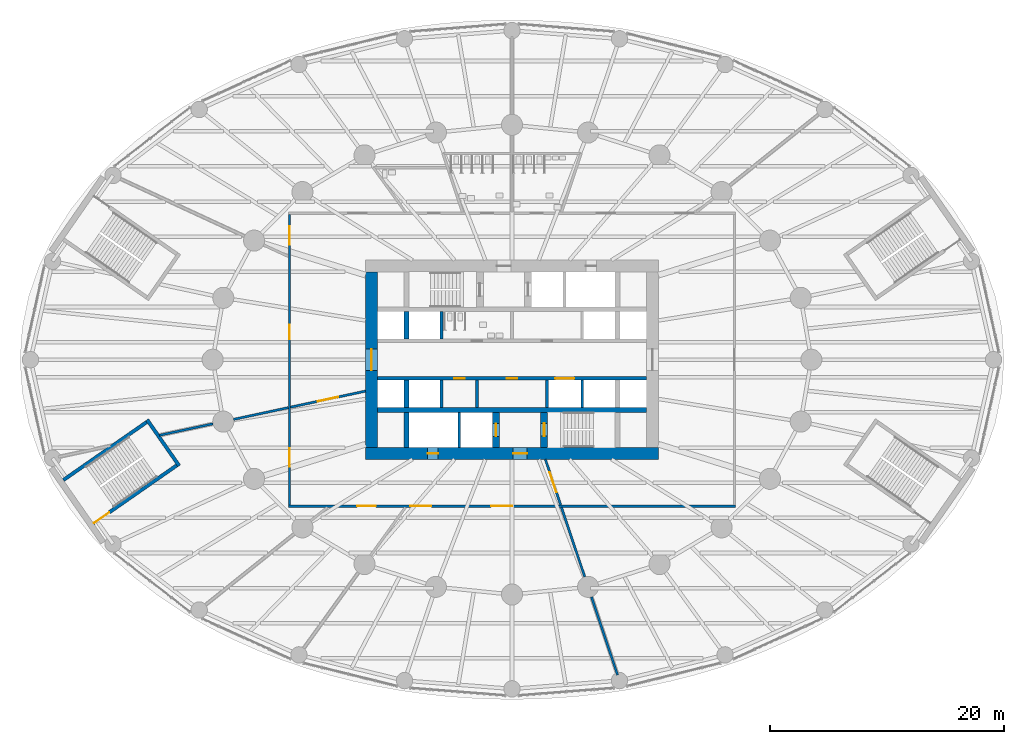
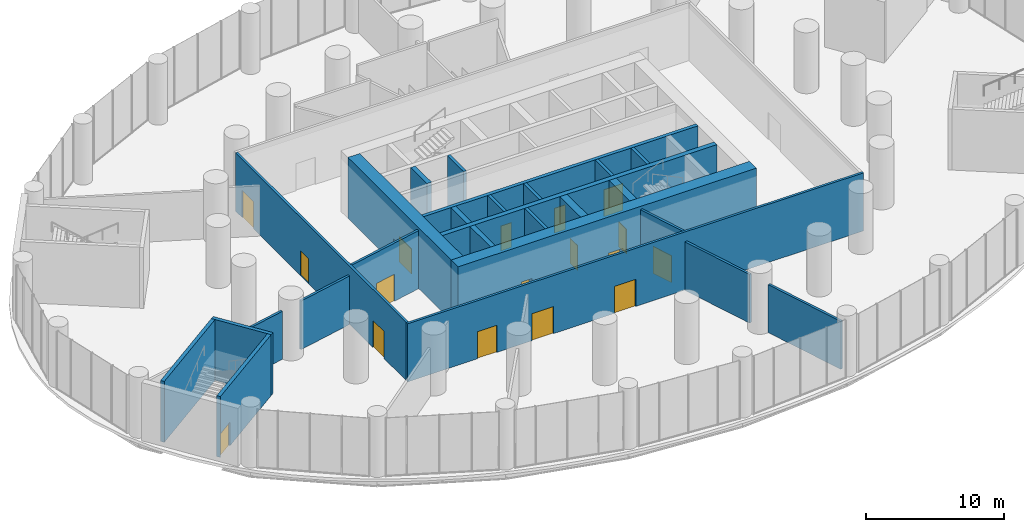
# One storey, part 16 of 21: 26 walls, 17 doors, 17 openings.
"""IFC4 building model written with IfcOpenShell, lengths in metres."""

from ifc_helpers import new_model, si_unit, direction, frame, frame_2d, origin, place, context, subcontext, project, spatial, rectangle, extrude, material, layer, layer_set, type_object, element, fill, save


model = new_model("IFC4")

# Units and contexts
model_context = context("Model", 3, precision=1e-05, world=origin(), true_north=direction((0.0, 1.0)))
body_context = subcontext(model_context, "Body", "Model", "MODEL_VIEW")
ifc_project = project(units=[si_unit("LENGTHUNIT", "METRE"), si_unit("AREAUNIT", "SQUARE_METRE"), si_unit("VOLUMEUNIT", "CUBIC_METRE"), si_unit("PLANEANGLEUNIT", "RADIAN"), si_unit("MASSUNIT", "GRAM", prefix="KILO")], contexts=[model_context])

# Site, building, storey
site_placement = place(None, origin())
site = spatial("IfcSite", under=ifc_project, at=site_placement, CompositionType="ELEMENT")
building_placement = place(site_placement, origin())
building = spatial("IfcBuilding", under=site, at=building_placement, Name="Hankou Lantern Tower", CompositionType="ELEMENT")
storey_placement = place(building_placement, frame((0.0, 0.0, 13.800048828125)))
storey = spatial("IfcBuildingStorey", under=building, at=storey_placement, Name="L02", CompositionType="ELEMENT", Elevation=13.800048828125)

# Wall, openings, doors
ifc_material_1 = material(Name="Concrete C60", Category="concrete")
ifc_layer_1 = layer(ifc_material_1, 1.0)
ifc_layer_set_1 = layer_set([ifc_layer_1], Name="Concrete C60")
wall_type_1 = type_object("IfcWallType", Name="CW1 CORE WALL 1000", PredefinedType="SHEAR", material=ifc_layer_set_1)
wall_1_placement = place(storey_placement, frame((12.5, -8.0, 0.0), z_axis=(0.0, 0.0, 1.0), x_axis=(-1.0, 0.0, 0.0)))
wall_1 = element("IfcWall", 1, at=wall_1_placement, inside=storey, type_object=wall_type_1, Name="Core wall south L02", PredefinedType="SHEAR", context=body_context, shape_type="SweptSolid", body=[
    extrude(rectangle(XDim=25.0, YDim=1.0, at=frame_2d((12.5, 0.0))), origin(), (0.0, 0.0, 1.0), 5.39990234375),
])
opening_1_placement = place(wall_1_placement, frame((11.199951171875, 0.0, 0.0)))
opening_1 = element("IfcOpeningElement", 2, at=opening_1_placement, cuts=wall_1, Name="Opening D5", PredefinedType="OPENING", context=body_context, shape_type="SweptSolid", body=[
    extrude(rectangle(XDim=1.199951171875, YDim=2.199951171875, at=frame_2d((0.60009765625, 1.10009765625))), frame((0.0, 0.510009765625, 0.0), z_axis=(0.0, -1.0, 0.0), x_axis=(1.0, 0.0, 0.0)), (0.0, 0.0, 1.0), 1.02001953125),
])
opening_2_placement = place(wall_1_placement, frame((18.800048828125, 0.0, 0.0)))
opening_2 = element("IfcOpeningElement", 3, at=opening_2_placement, cuts=wall_1, Name="Opening D7", PredefinedType="OPENING", context=body_context, shape_type="SweptSolid", body=[
    extrude(rectangle(XDim=0.89990234375, YDim=2.199951171875, at=frame_2d((0.449951171875, 1.10009765625))), frame((0.0, 0.510009765625, 0.0), z_axis=(0.0, -1.0, 0.0), x_axis=(1.0, 0.0, 0.0)), (0.0, 0.0, 1.0), 1.02001953125),
])
ifc_material_2 = material(Name="Steel door leaf", Category="steel")
door_type_1 = type_object("IfcDoorType", Name="D5 STAIR LOBBY DOOR 1200X2200", OperationType="SINGLE_SWING_LEFT", PredefinedType="DOOR", material=ifc_material_2)
door_1_placement = place(opening_1_placement, origin())
door_1 = element("IfcDoor", 4, at=door_1_placement, inside=storey, type_object=door_type_1, Name="Stair B lobby door", OperationType="SINGLE_SWING_LEFT", OverallHeight=2.199951171875, OverallWidth=1.199951171875, PredefinedType="DOOR", context=body_context, shape_type="SweptSolid", body=[
    extrude(rectangle(XDim=1.199951171875, YDim=2.199951171875, at=frame_2d((0.60009765625, 1.10009765625))), frame((0.0, 0.02490234375, 0.0), z_axis=(0.0, -1.0, 0.0), x_axis=(1.0, 0.0, 0.0)), (0.0, 0.0, 1.0), 0.050048828125),
])
fill(opening_1, door_1)
ifc_material_3 = material(Name="Steel door leaf", Category="steel")
door_type_2 = type_object("IfcDoorType", Name="D7 RISER DOOR 900X2200", OperationType="SINGLE_SWING_LEFT", PredefinedType="DOOR", material=ifc_material_3)
door_2_placement = place(opening_2_placement, origin())
door_2 = element("IfcDoor", 5, at=door_2_placement, inside=storey, type_object=door_type_2, Name="Riser S1 door", OperationType="SINGLE_SWING_LEFT", OverallHeight=2.199951171875, OverallWidth=0.89990234375, PredefinedType="DOOR", context=body_context, shape_type="SweptSolid", body=[
    extrude(rectangle(XDim=0.89990234375, YDim=2.199951171875, at=frame_2d((0.449951171875, 1.10009765625))), frame((0.0, 0.02490234375, 0.0), z_axis=(0.0, -1.0, 0.0), x_axis=(1.0, 0.0, 0.0)), (0.0, 0.0, 1.0), 0.050048828125),
])
fill(opening_2, door_2)

# Wall, opening, door
wall_2_placement = place(storey_placement, frame((-12.0, 7.5, 0.0), z_axis=(0.0, 0.0, 1.0), x_axis=(0.0, -1.0, 0.0)))
wall_2 = element("IfcWall", 6, at=wall_2_placement, inside=storey, type_object=wall_type_1, Name="Core wall west L02", PredefinedType="SHEAR", context=body_context, shape_type="SweptSolid", body=[
    extrude(rectangle(XDim=15.0, YDim=1.0, at=frame_2d((7.5, 0.0))), origin(), (0.0, 0.0, 1.0), 5.39990234375),
])
opening_3_placement = place(wall_2_placement, frame((6.60009765625, 0.0, 0.0)))
opening_3 = element("IfcOpeningElement", 7, at=opening_3_placement, cuts=wall_2, Name="Opening D6", PredefinedType="OPENING", context=body_context, shape_type="SweptSolid", body=[
    extrude(rectangle(XDim=1.800048828125, YDim=2.199951171875, at=frame_2d((0.89990234375, 1.10009765625))), frame((0.0, 0.510009765625, 0.0), z_axis=(0.0, -1.0, 0.0), x_axis=(1.0, 0.0, 0.0)), (0.0, 0.0, 1.0), 1.02001953125),
])
ifc_material_4 = material(Name="Steel door leaf", Category="steel")
door_type_3 = type_object("IfcDoorType", Name="D6 LIFT LOBBY DOOR 1800X2200", OperationType="DOUBLE_DOOR_DOUBLE_SWING", PredefinedType="DOOR", material=ifc_material_4)
door_3_placement = place(opening_3_placement, origin())
door_3 = element("IfcDoor", 8, at=door_3_placement, inside=storey, type_object=door_type_3, Name="Lift lobby west door", OperationType="DOUBLE_DOOR_DOUBLE_SWING", OverallHeight=2.199951171875, OverallWidth=1.800048828125, PredefinedType="DOOR", context=body_context, shape_type="SweptSolid", body=[
    extrude(rectangle(XDim=1.800048828125, YDim=2.199951171875, at=frame_2d((0.89990234375, 1.10009765625))), frame((0.0, 0.02490234375, 0.0), z_axis=(0.0, -1.0, 0.0), x_axis=(1.0, 0.0, 0.0)), (0.0, 0.0, 1.0), 0.050048828125),
])
fill(opening_3, door_3)

# Walls
ifc_material_5 = material(Name="Concrete C60", Category="concrete")
ifc_layer_2 = layer(ifc_material_5, 0.39990234375)
ifc_layer_set_2 = layer_set([ifc_layer_2], Name="Concrete C60")
wall_type_2 = type_object("IfcWallType", Name="CW4 CORE CROSS WALL 400", PredefinedType="SHEAR", material=ifc_layer_set_2)
wall_3_placement = place(storey_placement, frame((-11.5, -4.300048828125, 0.0), z_axis=(0.0, 0.0, 1.0), x_axis=(1.0, 0.0, 0.0)))
element("IfcWall", 9, at=wall_3_placement, inside=storey, type_object=wall_type_2, Name="Core band wall south L02", PredefinedType="SHEAR", context=body_context, shape_type="SweptSolid", body=[
    extrude(rectangle(XDim=23.0, YDim=0.39990234375, at=frame_2d((11.5, 0.0))), origin(), (0.0, 0.0, 1.0), 5.39990234375),
])
for number, where, z_axis, x_axis, name in (
    (10, (-9.0, 1.75, 0.0), (0.0, 0.0, 1.0), (0.0, 1.0, 0.0), "Core strip wall L02"),
    (11, (-9.0, -4.10009765625, 0.0), (0.0, 0.0, 1.0), (0.0, 1.0, 0.0), "Core strip wall L02"),
):
    element("IfcWall", number, at=place(storey_placement, frame(where, z_axis=z_axis, x_axis=x_axis)), inside=storey, type_object=wall_type_2, Name=name, PredefinedType="SHEAR", context=body_context, shape_type="SweptSolid", body=[
        extrude(rectangle(XDim=2.35009765625, YDim=0.39990234375, at=frame_2d((1.175048828125, 0.0))), origin(), (0.0, 0.0, 1.0), 5.39990234375),
    ])
wall_4_placement = place(storey_placement, frame((-9.0, -7.5, 0.0), z_axis=(0.0, 0.0, 1.0), x_axis=(0.0, 1.0, 0.0)))
element("IfcWall", 12, at=wall_4_placement, inside=storey, type_object=wall_type_2, Name="Core strip wall L02", PredefinedType="SHEAR", context=body_context, shape_type="SweptSolid", body=[
    extrude(rectangle(XDim=3.0, YDim=0.39990234375, at=frame_2d((1.5, 0.0))), origin(), (0.0, 0.0, 1.0), 5.39990234375),
])

# Wall, openings, doors
ifc_material_6 = material(Name="Concrete C60", Category="concrete")
ifc_layer_3 = layer(ifc_material_6, 0.300048828125)
ifc_layer_set_3 = layer_set([ifc_layer_3], Name="Concrete C60")
wall_type_3 = type_object("IfcWallType", Name="CW5 LIFT LOBBY WALL 300", PredefinedType="SHEAR", material=ifc_layer_set_3)
wall_5_placement = place(storey_placement, frame((-11.5, -1.60009765625, 0.0), z_axis=(0.0, 0.0, 1.0), x_axis=(1.0, 0.0, 0.0)))
wall_5 = element("IfcWall", 13, at=wall_5_placement, inside=storey, type_object=wall_type_3, Name="Lift lobby wall south L02", PredefinedType="SHEAR", context=body_context, shape_type="SweptSolid", body=[
    extrude(rectangle(XDim=23.0, YDim=0.300048828125, at=frame_2d((11.5, 0.0))), origin(), (0.0, 0.0, 1.0), 5.39990234375),
])
opening_4_placement = place(wall_5_placement, frame((15.199951171875, 0.0, 0.0)))
opening_4 = element("IfcOpeningElement", 14, at=opening_4_placement, cuts=wall_5, Name="Opening LD4", PredefinedType="OPENING", context=body_context, shape_type="SweptSolid", body=[
    extrude(rectangle(XDim=1.60009765625, YDim=2.39990234375, at=frame_2d((0.800048828125, 1.199951171875))), frame((0.0, 0.159912109375, 0.0), z_axis=(0.0, -1.0, 0.0), x_axis=(1.0, 0.0, 0.0)), (0.0, 0.0, 1.0), 0.320068359375),
])
opening_5_placement = place(wall_5_placement, frame((6.550048828125, 0.0, 0.0)))
opening_5 = element("IfcOpeningElement", 15, at=opening_5_placement, cuts=wall_5, Name="Opening D30", PredefinedType="OPENING", context=body_context, shape_type="SweptSolid", body=[
    extrude(rectangle(XDim=0.89990234375, YDim=2.199951171875, at=frame_2d((0.449951171875, 1.10009765625))), frame((0.0, 0.159912109375, 0.0), z_axis=(0.0, -1.0, 0.0), x_axis=(1.0, 0.0, 0.0)), (0.0, 0.0, 1.0), 0.320068359375),
])
opening_6_placement = place(wall_5_placement, frame((11.050048828125, 0.0, 0.0)))
opening_6 = element("IfcOpeningElement", 16, at=opening_6_placement, cuts=wall_5, Name="Opening D30", PredefinedType="OPENING", context=body_context, shape_type="SweptSolid", body=[
    extrude(rectangle(XDim=0.89990234375, YDim=2.199951171875, at=frame_2d((0.449951171875, 1.10009765625))), frame((0.0, 0.159912109375, 0.0), z_axis=(0.0, -1.0, 0.0), x_axis=(1.0, 0.0, 0.0)), (0.0, 0.0, 1.0), 0.320068359375),
])
ifc_material_7 = material(Name="Steel door leaf", Category="steel")
door_type_4 = type_object("IfcDoorType", Name="D30 CORE ROOM DOOR 900X2200", OperationType="SINGLE_SWING_LEFT", PredefinedType="DOOR", material=ifc_material_7)
door_4_placement = place(opening_5_placement, origin())
door_4 = element("IfcDoor", 17, at=door_4_placement, inside=storey, type_object=door_type_4, Name="Banqueting store door", OperationType="SINGLE_SWING_LEFT", OverallHeight=2.199951171875, OverallWidth=0.89990234375, PredefinedType="DOOR", context=body_context, shape_type="SweptSolid", body=[
    extrude(rectangle(XDim=0.89990234375, YDim=2.199951171875, at=frame_2d((0.449951171875, 1.10009765625))), frame((0.0, 0.02490234375, 0.0), z_axis=(0.0, -1.0, 0.0), x_axis=(1.0, 0.0, 0.0)), (0.0, 0.0, 1.0), 0.050048828125),
])
fill(opening_5, door_4)
door_5_placement = place(opening_6_placement, origin())
door_5 = element("IfcDoor", 18, at=door_5_placement, inside=storey, type_object=door_type_4, Name="AV and furniture store door", OperationType="SINGLE_SWING_LEFT", OverallHeight=2.199951171875, OverallWidth=0.89990234375, PredefinedType="DOOR", context=body_context, shape_type="SweptSolid", body=[
    extrude(rectangle(XDim=0.89990234375, YDim=2.199951171875, at=frame_2d((0.449951171875, 1.10009765625))), frame((0.0, 0.02490234375, 0.0), z_axis=(0.0, -1.0, 0.0), x_axis=(1.0, 0.0, 0.0)), (0.0, 0.0, 1.0), 0.050048828125),
])
fill(opening_6, door_5)
ifc_material_8 = material(Name="Steel door leaf", Category="steel")
door_type_5 = type_object("IfcDoorType", Name="LD4 SERVICE LIFT LANDING DOOR 1600X2400", OperationType="DOUBLE_DOOR_SLIDING", PredefinedType="DOOR", material=ifc_material_8)
door_6_placement = place(opening_4_placement, origin())
door_6 = element("IfcDoor", 19, at=door_6_placement, inside=storey, type_object=door_type_5, Name="Lift SV1 landing door", OperationType="DOUBLE_DOOR_SLIDING", OverallHeight=2.39990234375, OverallWidth=1.60009765625, PredefinedType="DOOR", context=body_context, shape_type="SweptSolid", body=[
    extrude(rectangle(XDim=1.60009765625, YDim=2.39990234375, at=frame_2d((0.800048828125, 1.199951171875))), frame((0.0, 0.02490234375, 0.0), z_axis=(0.0, -1.0, 0.0), x_axis=(1.0, 0.0, 0.0)), (0.0, 0.0, 1.0), 0.050048828125),
])
fill(opening_4, door_6)

# Wall, opening, door
ifc_material_9 = material(Name="Concrete C60", Category="concrete")
ifc_layer_4 = layer(ifc_material_9, 0.60009765625)
ifc_layer_set_4 = layer_set([ifc_layer_4], Name="Concrete C60")
wall_type_4 = type_object("IfcWallType", Name="CW6 STAIR AND SHAFT WALL 600", PredefinedType="SHEAR", material=ifc_layer_set_4)
wall_6_placement = place(storey_placement, frame((2.75, -7.5, 0.0), z_axis=(0.0, 0.0, 1.0), x_axis=(0.0, 1.0, 0.0)))
wall_6 = element("IfcWall", 20, at=wall_6_placement, inside=storey, type_object=wall_type_4, Name="Stair wall L02", PredefinedType="SHEAR", context=body_context, shape_type="SweptSolid", body=[
    extrude(rectangle(XDim=3.0, YDim=0.60009765625, at=frame_2d((1.5, 0.0))), origin(), (0.0, 0.0, 1.0), 5.39990234375),
])
opening_7_placement = place(wall_6_placement, frame((0.97509765625, 0.0, 0.0)))
opening_7 = element("IfcOpeningElement", 21, at=opening_7_placement, cuts=wall_6, Name="Opening D4", PredefinedType="OPENING", context=body_context, shape_type="SweptSolid", body=[
    extrude(rectangle(XDim=1.10009765625, YDim=2.199951171875, at=frame_2d((0.550048828125, 1.10009765625))), frame((0.0, 0.31005859375, 0.0), z_axis=(0.0, -1.0, 0.0), x_axis=(1.0, 0.0, 0.0)), (0.0, 0.0, 1.0), 0.6201171875),
])
ifc_material_10 = material(Name="Steel door leaf", Category="steel")
door_type_6 = type_object("IfcDoorType", Name="D4 STAIR DOOR 1100X2200", OperationType="SINGLE_SWING_LEFT", PredefinedType="DOOR", material=ifc_material_10)
door_7_placement = place(opening_7_placement, origin())
door_7 = element("IfcDoor", 22, at=door_7_placement, inside=storey, type_object=door_type_6, Name="Stair B door", OperationType="SINGLE_SWING_RIGHT", OverallHeight=2.199951171875, OverallWidth=1.10009765625, PredefinedType="DOOR", context=body_context, shape_type="SweptSolid", body=[
    extrude(rectangle(XDim=1.10009765625, YDim=2.199951171875, at=frame_2d((0.550048828125, 1.10009765625))), frame((0.0, 0.02490234375, 0.0), z_axis=(0.0, -1.0, 0.0), x_axis=(1.0, 0.0, 0.0)), (0.0, 0.0, 1.0), 0.050048828125),
])
fill(opening_7, door_7)

wall_7_placement = place(storey_placement, frame((-1.35009765625, -7.5, 0.0), z_axis=(0.0, 0.0, 1.0), x_axis=(0.0, 1.0, 0.0)))
wall_7 = element("IfcWall", 23, at=wall_7_placement, inside=storey, type_object=wall_type_4, Name="Firefighting lift shaft wall L02", PredefinedType="SHEAR", context=body_context, shape_type="SweptSolid", body=[
    extrude(rectangle(XDim=3.0, YDim=0.60009765625, at=frame_2d((1.5, 0.0))), origin(), (0.0, 0.0, 1.0), 5.39990234375),
])
opening_8_placement = place(wall_7_placement, frame((0.949951171875, 0.0, 0.0)))
opening_8 = element("IfcOpeningElement", 24, at=opening_8_placement, cuts=wall_7, Name="Opening LD2", PredefinedType="OPENING", context=body_context, shape_type="SweptSolid", body=[
    extrude(rectangle(XDim=1.10009765625, YDim=2.199951171875, at=frame_2d((0.550048828125, 1.10009765625))), frame((0.0, 0.31005859375, 0.0), z_axis=(0.0, -1.0, 0.0), x_axis=(1.0, 0.0, 0.0)), (0.0, 0.0, 1.0), 0.6201171875),
])
ifc_material_11 = material(Name="Steel door leaf", Category="steel")
door_type_7 = type_object("IfcDoorType", Name="LD2 FIREFIGHTING LIFT LANDING DOOR 1100X2200", OperationType="DOUBLE_DOOR_SLIDING", PredefinedType="DOOR", material=ifc_material_11)
door_8_placement = place(opening_8_placement, origin())
door_8 = element("IfcDoor", 25, at=door_8_placement, inside=storey, type_object=door_type_7, Name="Firefighting lift FL2 landing door", OperationType="DOUBLE_DOOR_SLIDING", OverallHeight=2.199951171875, OverallWidth=1.10009765625, PredefinedType="DOOR", context=body_context, shape_type="SweptSolid", body=[
    extrude(rectangle(XDim=1.10009765625, YDim=2.199951171875, at=frame_2d((0.550048828125, 1.10009765625))), frame((0.0, 0.02490234375, 0.0), z_axis=(0.0, -1.0, 0.0), x_axis=(1.0, 0.0, 0.0)), (0.0, 0.0, 1.0), 0.050048828125),
])
fill(opening_8, door_8)

# Wall
ifc_material_12 = material(Name="Concrete C50", Category="concrete")
ifc_layer_5 = layer(ifc_material_12, 0.300048828125)
ifc_layer_set_5 = layer_set([ifc_layer_5], Name="Concrete C50")
wall_type_5 = type_object("IfcWallType", Name="CW7 PODIUM STAIR WALL 300", PredefinedType="SHEAR", material=ifc_layer_set_5)
wall_8_placement = place(storey_placement, frame((-38.29931640625, -10.273681640625, 0.0), z_axis=(0.0, 0.0, 1.0), x_axis=(0.820936803751, 0.571019057692, 0.0)))
element("IfcWall", 26, at=wall_8_placement, inside=storey, type_object=wall_type_5, Name="Podium stair P3 wall", PredefinedType="SHEAR", context=body_context, shape_type="SweptSolid", body=[
    extrude(rectangle(XDim=8.66015625, YDim=0.300048828125, at=frame_2d((4.330078125, 0.0))), origin(), (0.0, 0.0, 1.0), 5.39990234375),
])

# Wall, opening, door
wall_9_placement = place(storey_placement, frame((-35.7294921875, -13.968017578125, 0.0), z_axis=(0.0, 0.0, 1.0), x_axis=(0.82092761123, 0.571032273274, 0.0)))
wall_9 = element("IfcWall", 27, at=wall_9_placement, inside=storey, type_object=wall_type_5, Name="Podium stair P3 wall", PredefinedType="SHEAR", context=body_context, shape_type="SweptSolid", body=[
    extrude(rectangle(XDim=8.659912109375, YDim=0.300048828125, at=frame_2d((4.330078125, 0.0))), origin(), (0.0, 0.0, 1.0), 5.39990234375),
])
opening_9_placement = place(wall_9_placement, frame((0.050048828125, 0.0, 0.0)))
opening_9 = element("IfcOpeningElement", 28, at=opening_9_placement, cuts=wall_9, Name="Opening D16", PredefinedType="OPENING", context=body_context, shape_type="SweptSolid", body=[
    extrude(rectangle(XDim=1.60009765625, YDim=2.10009765625, at=frame_2d((0.800048828125, 1.050048828125))), frame((0.0, 0.159912109375, 0.0), z_axis=(0.0, -1.0, 0.0), x_axis=(1.0, 0.0, 0.0)), (0.0, 0.0, 1.0), 0.320068359375),
])
ifc_material_13 = material(Name="Steel door leaf", Category="steel")
door_type_8 = type_object("IfcDoorType", Name="D16 PODIUM STAIR DOOR 1600X2100", OperationType="SINGLE_SWING_LEFT", PredefinedType="DOOR", material=ifc_material_13)
door_9_placement = place(opening_9_placement, origin())
door_9 = element("IfcDoor", 29, at=door_9_placement, inside=storey, type_object=door_type_8, Name="Podium stair P3 door", OperationType="SINGLE_SWING_LEFT", OverallHeight=2.10009765625, OverallWidth=1.60009765625, PredefinedType="DOOR", context=body_context, shape_type="SweptSolid", body=[
    extrude(rectangle(XDim=1.60009765625, YDim=2.10009765625, at=frame_2d((0.800048828125, 1.050048828125))), frame((0.0, 0.02490234375, 0.0), z_axis=(0.0, -1.0, 0.0), x_axis=(1.0, 0.0, 0.0)), (0.0, 0.0, 1.0), 0.050048828125),
])
fill(opening_9, door_9)

# Walls
wall_10_placement = place(storey_placement, frame((-31.152587890625, -5.119873046875, 0.0), z_axis=(0.0, 0.0, 1.0), x_axis=(0.571036173178, -0.820924898467, 0.0)))
element("IfcWall", 30, at=wall_10_placement, inside=storey, type_object=wall_type_5, Name="Podium stair P3 wall", PredefinedType="SHEAR", context=body_context, shape_type="SweptSolid", body=[
    extrude(rectangle(XDim=4.800048828125, YDim=0.300048828125, at=frame_2d((2.39990234375, 0.0))), origin(), (0.0, 0.0, 1.0), 5.39990234375),
])
ifc_material_14 = material(Name="Masonry dense concrete block", Category="masonry")
ifc_layer_6 = layer(ifc_material_14, 0.199951171875)
ifc_layer_set_6 = layer_set([ifc_layer_6], Name="Masonry dense concrete block")
wall_type_6 = type_object("IfcWallType", Name="FW1 COMPARTMENT FIRE WALL 200", PredefinedType="PARTITIONING", material=ifc_layer_set_6)
wall_11_placement = place(storey_placement, frame((-19.10009765625, -4.09423828125, 0.0), z_axis=(0.0, 0.0, 1.0), x_axis=(-0.977784445586, -0.209612924148, 0.0)))
element("IfcWall", 31, at=wall_11_placement, inside=storey, type_object=wall_type_6, Name="Fire wall R14", PredefinedType="PARTITIONING", context=body_context, shape_type="SweptSolid", body=[
    extrude(rectangle(XDim=4.77294921875, YDim=0.199951171875, at=frame_2d((2.386474609375, 0.0))), origin(), (0.0, 0.0, 1.0), 4.300048828125),
])
wall_12_placement = place(storey_placement, frame((-25.527099609375, -5.471923828125, 0.0), z_axis=(0.0, 0.0, 1.0), x_axis=(-0.977787143577, -0.209600338396, 0.0)))
element("IfcWall", 32, at=wall_12_placement, inside=storey, type_object=wall_type_6, Name="Fire wall R14", PredefinedType="PARTITIONING", context=body_context, shape_type="SweptSolid", body=[
    extrude(rectangle(XDim=4.68017578125, YDim=0.199951171875, at=frame_2d((2.340087890625, 0.0))), origin(), (0.0, 0.0, 1.0), 4.25),
])
wall_13_placement = place(storey_placement, frame((4.22021484375, -12.60009765625, 0.0), z_axis=(0.0, 0.0, 1.0), x_axis=(0.317584173452, -0.9482300843, 0.0)))
element("IfcWall", 33, at=wall_13_placement, inside=storey, type_object=wall_type_6, Name="Fire wall R20", PredefinedType="PARTITIONING", context=body_context, shape_type="SweptSolid", body=[
    extrude(rectangle(XDim=6.26220703125, YDim=0.199951171875, at=frame_2d((3.131103515625, 0.0))), origin(), (0.0, 0.0, 1.0), 4.300048828125),
])
wall_14_placement = place(storey_placement, frame((6.78076171875, -20.244873046875, 0.0), z_axis=(0.0, 0.0, 1.0), x_axis=(0.317580622989, -0.948231273425, 0.0)))
element("IfcWall", 34, at=wall_14_placement, inside=storey, type_object=wall_type_6, Name="Fire wall R20", PredefinedType="PARTITIONING", context=body_context, shape_type="SweptSolid", body=[
    extrude(rectangle(XDim=7.036376953125, YDim=0.199951171875, at=frame_2d((3.51806640625, 0.0))), origin(), (0.0, 0.0, 1.0), 4.25),
])

# Wall, opening, door
wall_15_placement = place(storey_placement, frame((-18.89990234375, -4.051513671875, 0.0), z_axis=(0.0, 0.0, 1.0), x_axis=(0.977781666858, 0.2096258857, 0.0)))
wall_15 = element("IfcWall", 35, at=wall_15_placement, inside=storey, type_object=wall_type_6, Name="Fire wall R14 across the foyer", PredefinedType="PARTITIONING", context=body_context, shape_type="SweptSolid", body=[
    extrude(rectangle(XDim=6.54541015625, YDim=0.199951171875, at=frame_2d((3.272705078125, 0.0))), origin(), (0.0, 0.0, 1.0), 5.14990234375),
])
opening_10_placement = place(wall_15_placement, frame((2.373046875, 0.0, 0.0)))
opening_10 = element("IfcOpeningElement", 36, at=opening_10_placement, cuts=wall_15, Name="Opening D36", PredefinedType="OPENING", context=body_context, shape_type="SweptSolid", body=[
    extrude(rectangle(XDim=1.800048828125, YDim=2.39990234375, at=frame_2d((0.89990234375, 1.199951171875))), frame((0.0, 0.10986328125, 0.0), z_axis=(0.0, -1.0, 0.0), x_axis=(1.0, 0.0, 0.0)), (0.0, 0.0, 1.0), 0.219970703125),
])
ifc_material_15 = material(Name="Steel door leaf", Category="steel")
door_type_9 = type_object("IfcDoorType", Name="D36 CLASS A DOUBLE DOOR 1800X2400", OperationType="DOUBLE_DOOR_DOUBLE_SWING", PredefinedType="DOOR", material=ifc_material_15)
door_10_placement = place(opening_10_placement, origin())
door_10 = element("IfcDoor", 37, at=door_10_placement, inside=storey, type_object=door_type_9, Name="Fire wall R14 door", OperationType="DOUBLE_DOOR_DOUBLE_SWING", OverallHeight=2.39990234375, OverallWidth=1.800048828125, PredefinedType="DOOR", context=body_context, shape_type="SweptSolid", body=[
    extrude(rectangle(XDim=1.800048828125, YDim=2.39990234375, at=frame_2d((0.89990234375, 1.199951171875))), frame((0.0, 0.02490234375, 0.0), z_axis=(0.0, -1.0, 0.0), x_axis=(1.0, 0.0, 0.0)), (0.0, 0.0, 1.0), 0.050048828125),
])
fill(opening_10, door_10)

wall_16_placement = place(storey_placement, frame((4.1533203125, -12.39990234375, 0.0), z_axis=(0.0, 0.0, 1.0), x_axis=(-0.317634245377, 0.948213312585, 0.0)))
wall_16 = element("IfcWall", 38, at=wall_16_placement, inside=storey, type_object=wall_type_6, Name="Fire wall R20 across the foyer", PredefinedType="PARTITIONING", context=body_context, shape_type="SweptSolid", body=[
    extrude(rectangle(XDim=4.11279296875, YDim=0.199951171875, at=frame_2d((2.056396484375, 0.0))), origin(), (0.0, 0.0, 1.0), 5.14990234375),
])
opening_11_placement = place(wall_16_placement, frame((1.156005859375, 0.0, 0.0)))
opening_11 = element("IfcOpeningElement", 39, at=opening_11_placement, cuts=wall_16, Name="Opening D36", PredefinedType="OPENING", context=body_context, shape_type="SweptSolid", body=[
    extrude(rectangle(XDim=1.800048828125, YDim=2.39990234375, at=frame_2d((0.89990234375, 1.199951171875))), frame((0.0, 0.10986328125, 0.0), z_axis=(0.0, -1.0, 0.0), x_axis=(1.0, 0.0, 0.0)), (0.0, 0.0, 1.0), 0.219970703125),
])
door_11_placement = place(opening_11_placement, origin())
door_11 = element("IfcDoor", 40, at=door_11_placement, inside=storey, type_object=door_type_9, Name="Fire wall R20 door", OperationType="DOUBLE_DOOR_DOUBLE_SWING", OverallHeight=2.39990234375, OverallWidth=1.800048828125, PredefinedType="DOOR", context=body_context, shape_type="SweptSolid", body=[
    extrude(rectangle(XDim=1.800048828125, YDim=2.39990234375, at=frame_2d((0.89990234375, 1.199951171875))), frame((0.0, 0.02490234375, 0.0), z_axis=(0.0, -1.0, 0.0), x_axis=(1.0, 0.0, 0.0)), (0.0, 0.0, 1.0), 0.050048828125),
])
fill(opening_11, door_11)

# Wall, openings, doors
ifc_material_16 = material(Name="Masonry lightweight concrete block", Category="masonry")
ifc_layer_7 = layer(ifc_material_16, 0.199951171875)
ifc_layer_set_7 = layer_set([ifc_layer_7], Name="Masonry lightweight concrete block")
wall_type_7 = type_object("IfcWallType", Name="IW2 CORRIDOR WALL 200", PredefinedType="PARTITIONING", material=ifc_layer_set_7)
wall_17_placement = place(storey_placement, frame((19.10009765625, -12.5, 0.0), z_axis=(0.0, 0.0, 1.0), x_axis=(-1.0, 0.0, 0.0)))
wall_17 = element("IfcWall", 41, at=wall_17_placement, inside=storey, type_object=wall_type_7, Name="Foyer wall south", PredefinedType="PARTITIONING", context=body_context, shape_type="SweptSolid", body=[
    extrude(rectangle(XDim=38.2001953125, YDim=0.199951171875, at=frame_2d((19.10009765625, 0.0))), origin(), (0.0, 0.0, 1.0), 5.14990234375),
])
opening_12_placement = place(wall_17_placement, frame((30.7216796875, 0.0, 0.0)))
opening_12 = element("IfcOpeningElement", 42, at=opening_12_placement, cuts=wall_17, Name="Opening D29", PredefinedType="OPENING", context=body_context, shape_type="SweptSolid", body=[
    extrude(rectangle(XDim=1.60009765625, YDim=2.39990234375, at=frame_2d((0.800048828125, 1.199951171875))), frame((0.0, 0.10986328125, 0.0), z_axis=(0.0, -1.0, 0.0), x_axis=(1.0, 0.0, 0.0)), (0.0, 0.0, 1.0), 0.219970703125),
])
opening_13_placement = place(wall_17_placement, frame((19.079345703125, 0.0, 0.0)))
opening_13 = element("IfcOpeningElement", 43, at=opening_13_placement, cuts=wall_17, Name="Opening D8", PredefinedType="OPENING", context=body_context, shape_type="SweptSolid", body=[
    extrude(rectangle(XDim=1.800048828125, YDim=2.39990234375, at=frame_2d((0.89990234375, 1.199951171875))), frame((0.0, 0.10986328125, 0.0), z_axis=(0.0, -1.0, 0.0), x_axis=(1.0, 0.0, 0.0)), (0.0, 0.0, 1.0), 0.219970703125),
])
opening_14_placement = place(wall_17_placement, frame((25.979248046875, 0.0, 0.0)))
opening_14 = element("IfcOpeningElement", 44, at=opening_14_placement, cuts=wall_17, Name="Opening D8", PredefinedType="OPENING", context=body_context, shape_type="SweptSolid", body=[
    extrude(rectangle(XDim=1.800048828125, YDim=2.39990234375, at=frame_2d((0.89990234375, 1.199951171875))), frame((0.0, 0.10986328125, 0.0), z_axis=(0.0, -1.0, 0.0), x_axis=(1.0, 0.0, 0.0)), (0.0, 0.0, 1.0), 0.219970703125),
])
ifc_material_17 = material(Name="Steel door leaf", Category="steel")
door_type_10 = type_object("IfcDoorType", Name="D29 LOUNGE DOUBLE DOOR 1600X2400", OperationType="DOUBLE_DOOR_DOUBLE_SWING", PredefinedType="DOOR", material=ifc_material_17)
door_12_placement = place(opening_12_placement, origin())
door_12 = element("IfcDoor", 45, at=door_12_placement, inside=storey, type_object=door_type_10, Name="Meeting room 205 door", OperationType="DOUBLE_DOOR_DOUBLE_SWING", OverallHeight=2.39990234375, OverallWidth=1.60009765625, PredefinedType="DOOR", context=body_context, shape_type="SweptSolid", body=[
    extrude(rectangle(XDim=1.60009765625, YDim=2.39990234375, at=frame_2d((0.800048828125, 1.199951171875))), frame((0.0, 0.02490234375, 0.0), z_axis=(0.0, -1.0, 0.0), x_axis=(1.0, 0.0, 0.0)), (0.0, 0.0, 1.0), 0.050048828125),
])
fill(opening_12, door_12)
ifc_material_18 = material(Name="Steel door leaf", Category="steel")
door_type_11 = type_object("IfcDoorType", Name="D8 DOUBLE DOOR 1800X2400", OperationType="DOUBLE_DOOR_DOUBLE_SWING", PredefinedType="DOOR", material=ifc_material_18)
door_13_placement = place(opening_13_placement, origin())
door_13 = element("IfcDoor", 46, at=door_13_placement, inside=storey, type_object=door_type_11, Name="Main kitchen door", OperationType="DOUBLE_DOOR_DOUBLE_SWING", OverallHeight=2.39990234375, OverallWidth=1.800048828125, PredefinedType="DOOR", context=body_context, shape_type="SweptSolid", body=[
    extrude(rectangle(XDim=1.800048828125, YDim=2.39990234375, at=frame_2d((0.89990234375, 1.199951171875))), frame((0.0, 0.02490234375, 0.0), z_axis=(0.0, -1.0, 0.0), x_axis=(1.0, 0.0, 0.0)), (0.0, 0.0, 1.0), 0.050048828125),
])
fill(opening_13, door_13)
door_14_placement = place(opening_14_placement, origin())
door_14 = element("IfcDoor", 47, at=door_14_placement, inside=storey, type_object=door_type_11, Name="Main kitchen second door", OperationType="DOUBLE_DOOR_DOUBLE_SWING", OverallHeight=2.39990234375, OverallWidth=1.800048828125, PredefinedType="DOOR", context=body_context, shape_type="SweptSolid", body=[
    extrude(rectangle(XDim=1.800048828125, YDim=2.39990234375, at=frame_2d((0.89990234375, 1.199951171875))), frame((0.0, 0.02490234375, 0.0), z_axis=(0.0, -1.0, 0.0), x_axis=(1.0, 0.0, 0.0)), (0.0, 0.0, 1.0), 0.050048828125),
])
fill(opening_14, door_14)

wall_18_placement = place(storey_placement, frame((-19.0, 12.39990234375, 0.0), z_axis=(0.0, 0.0, 1.0), x_axis=(0.0, -1.0, 0.0)))
wall_18 = element("IfcWall", 48, at=wall_18_placement, inside=storey, type_object=wall_type_7, Name="Foyer wall west", PredefinedType="PARTITIONING", context=body_context, shape_type="SweptSolid", body=[
    extrude(rectangle(XDim=24.7998046875, YDim=0.199951171875, at=frame_2d((12.39990234375, 0.0))), origin(), (0.0, 0.0, 1.0), 5.14990234375),
])
opening_15_placement = place(wall_18_placement, frame((9.436279296875, 0.0, 0.0)))
opening_15 = element("IfcOpeningElement", 49, at=opening_15_placement, cuts=wall_18, Name="Opening D23", PredefinedType="OPENING", context=body_context, shape_type="SweptSolid", body=[
    extrude(rectangle(XDim=1.199951171875, YDim=2.199951171875, at=frame_2d((0.60009765625, 1.10009765625))), frame((0.0, 0.10986328125, 0.0), z_axis=(0.0, -1.0, 0.0), x_axis=(1.0, 0.0, 0.0)), (0.0, 0.0, 1.0), 0.219970703125),
])
opening_16_placement = place(wall_18_placement, frame((19.947021484375, 0.0, 0.0)))
opening_16 = element("IfcOpeningElement", 50, at=opening_16_placement, cuts=wall_18, Name="Opening D29", PredefinedType="OPENING", context=body_context, shape_type="SweptSolid", body=[
    extrude(rectangle(XDim=1.60009765625, YDim=2.39990234375, at=frame_2d((0.800048828125, 1.199951171875))), frame((0.0, 0.10986328125, 0.0), z_axis=(0.0, -1.0, 0.0), x_axis=(1.0, 0.0, 0.0)), (0.0, 0.0, 1.0), 0.219970703125),
])
opening_17_placement = place(wall_18_placement, frame((1.0, 0.0, 0.0)))
opening_17 = element("IfcOpeningElement", 51, at=opening_17_placement, cuts=wall_18, Name="Opening D29", PredefinedType="OPENING", context=body_context, shape_type="SweptSolid", body=[
    extrude(rectangle(XDim=1.60009765625, YDim=2.39990234375, at=frame_2d((0.800048828125, 1.199951171875))), frame((0.0, 0.10986328125, 0.0), z_axis=(0.0, -1.0, 0.0), x_axis=(1.0, 0.0, 0.0)), (0.0, 0.0, 1.0), 0.219970703125),
])
ifc_material_19 = material(Name="Steel door leaf", Category="steel")
door_type_12 = type_object("IfcDoorType", Name="D23 WIDE STORE DOOR 1200X2200", OperationType="SINGLE_SWING_LEFT", PredefinedType="DOOR", material=ifc_material_19)
door_15_placement = place(opening_15_placement, origin())
door_15 = element("IfcDoor", 52, at=door_15_placement, inside=storey, type_object=door_type_12, Name="Meeting store and AV room door", OperationType="SINGLE_SWING_RIGHT", OverallHeight=2.199951171875, OverallWidth=1.199951171875, PredefinedType="DOOR", context=body_context, shape_type="SweptSolid", body=[
    extrude(rectangle(XDim=1.199951171875, YDim=2.199951171875, at=frame_2d((0.60009765625, 1.10009765625))), frame((0.0, 0.02490234375, 0.0), z_axis=(0.0, -1.0, 0.0), x_axis=(1.0, 0.0, 0.0)), (0.0, 0.0, 1.0), 0.050048828125),
])
fill(opening_15, door_15)
door_16_placement = place(opening_16_placement, origin())
door_16 = element("IfcDoor", 53, at=door_16_placement, inside=storey, type_object=door_type_10, Name="Meeting room 204 door", OperationType="DOUBLE_DOOR_DOUBLE_SWING", OverallHeight=2.39990234375, OverallWidth=1.60009765625, PredefinedType="DOOR", context=body_context, shape_type="SweptSolid", body=[
    extrude(rectangle(XDim=1.60009765625, YDim=2.39990234375, at=frame_2d((0.800048828125, 1.199951171875))), frame((0.0, 0.02490234375, 0.0), z_axis=(0.0, -1.0, 0.0), x_axis=(1.0, 0.0, 0.0)), (0.0, 0.0, 1.0), 0.050048828125),
])
fill(opening_16, door_16)
door_17_placement = place(opening_17_placement, origin())
door_17 = element("IfcDoor", 54, at=door_17_placement, inside=storey, type_object=door_type_10, Name="Meeting room 202 second door", OperationType="DOUBLE_DOOR_DOUBLE_SWING", OverallHeight=2.39990234375, OverallWidth=1.60009765625, PredefinedType="DOOR", context=body_context, shape_type="SweptSolid", body=[
    extrude(rectangle(XDim=1.60009765625, YDim=2.39990234375, at=frame_2d((0.800048828125, 1.199951171875))), frame((0.0, 0.02490234375, 0.0), z_axis=(0.0, -1.0, 0.0), x_axis=(1.0, 0.0, 0.0)), (0.0, 0.0, 1.0), 0.050048828125),
])
fill(opening_17, door_17)

# Walls
ifc_material_20 = material(Name="Masonry autoclaved aerated concrete block", Category="masonry")
ifc_layer_8 = layer(ifc_material_20, 0.25)
ifc_layer_set_8 = layer_set([ifc_layer_8], Name="Masonry autoclaved aerated concrete block")
wall_type_8 = type_object("IfcWallType", Name="SW1 SHAFT BLOCK WALL 250", PredefinedType="PARTITIONING", material=ifc_layer_set_8)
wall_19_placement = place(storey_placement, frame((-4.5, -7.5, 0.0), z_axis=(0.0, 0.0, 1.0), x_axis=(0.0, 1.0, 0.0)))
element("IfcWall", 55, at=wall_19_placement, inside=storey, type_object=wall_type_8, Name="Riser wall L02", PredefinedType="PARTITIONING", context=body_context, shape_type="SweptSolid", body=[
    extrude(rectangle(XDim=3.0, YDim=0.25, at=frame_2d((1.5, 0.0))), origin(), (0.0, 0.0, 1.0), 5.39990234375),
])
for number, where, z_axis, x_axis, name in (
    (56, (-6.0, 1.75, 0.0), (0.0, 0.0, 1.0), (0.0, 1.0, 0.0), "Lift shaft wall L02"),
    (57, (-6.0, -4.10009765625, 0.0), (0.0, 0.0, 1.0), (0.0, 1.0, 0.0), "Lift shaft wall L02"),
    (58, (-3.0, -4.10009765625, 0.0), (0.0, 0.0, 1.0), (0.0, 1.0, 0.0), "Lift shaft wall L02"),
    (59, (3.0, -4.10009765625, 0.0), (0.0, 0.0, 1.0), (0.0, 1.0, 0.0), "Lift shaft wall L02"),
    (60, (6.0, -4.10009765625, 0.0), (0.0, 0.0, 1.0), (0.0, 1.0, 0.0), "Lift shaft wall L02"),
):
    element("IfcWall", number, at=place(storey_placement, frame(where, z_axis=z_axis, x_axis=x_axis)), inside=storey, type_object=wall_type_8, Name=name, PredefinedType="PARTITIONING", context=body_context, shape_type="SweptSolid", body=[
        extrude(rectangle(XDim=2.35009765625, YDim=0.25, at=frame_2d((1.175048828125, 0.0))), origin(), (0.0, 0.0, 1.0), 5.39990234375),
    ])

save(model, "model.ifc")
